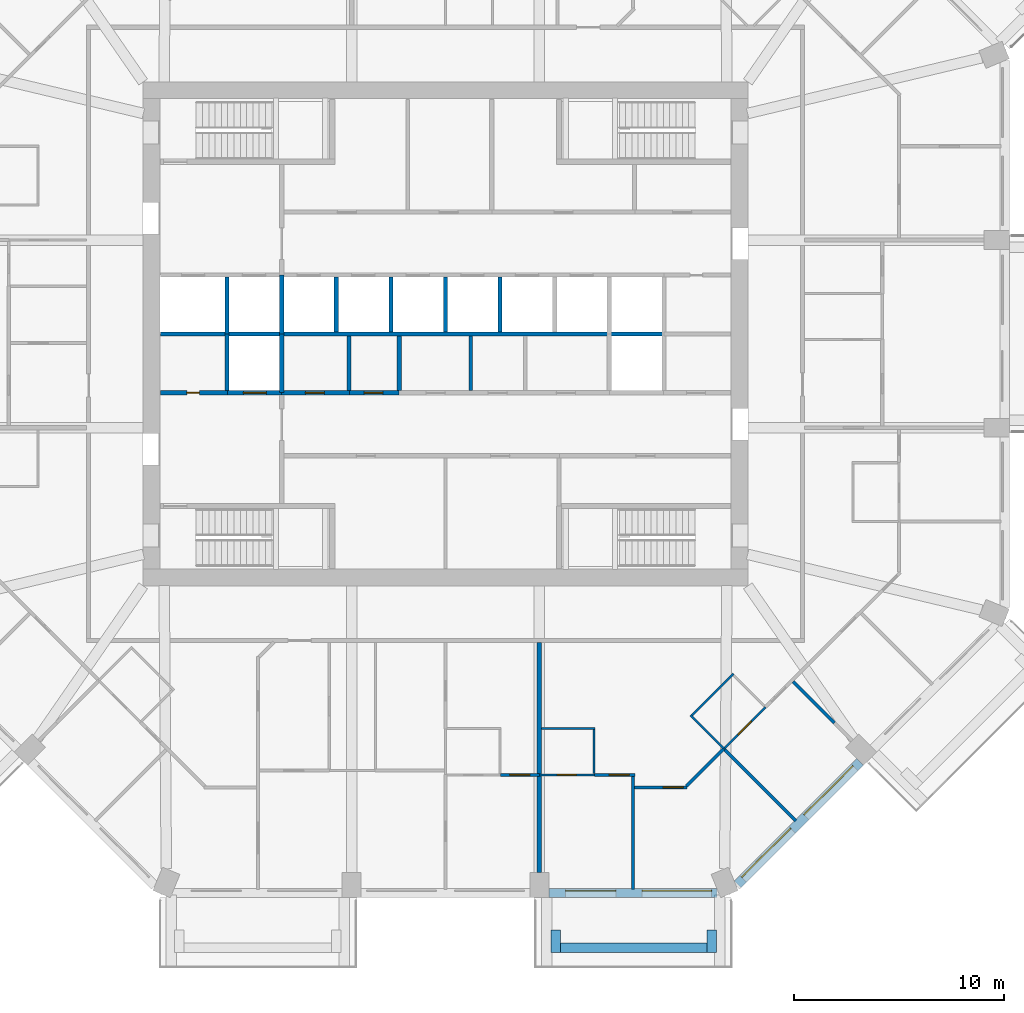
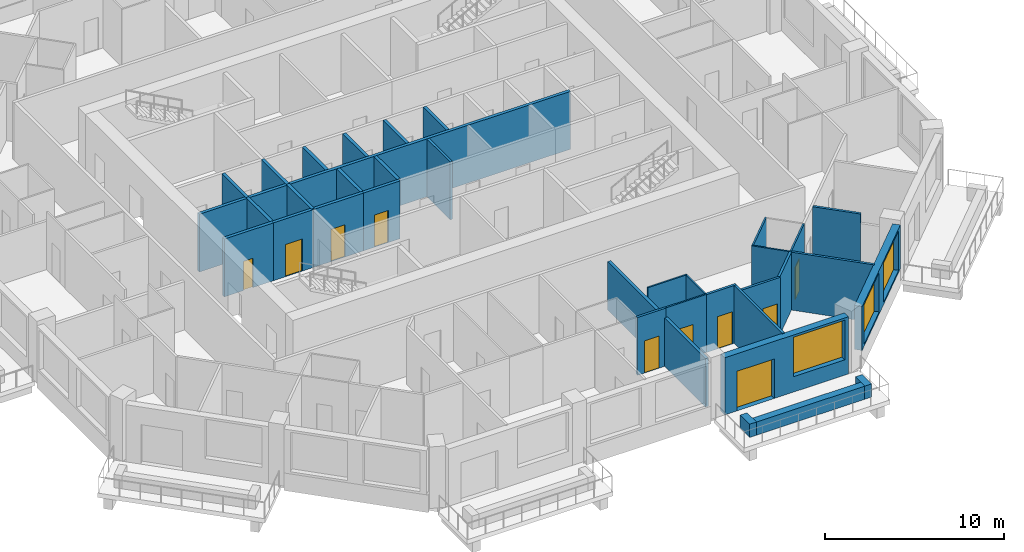
# One storey, part 5 of 13: 35 walls, 10 doors, 3 windows, 13 openings.
"""IFC4 building model written with IfcOpenShell, lengths in metres."""

from ifc_helpers import new_model, si_unit, direction, frame, frame_2d, origin, place, context, subcontext, project, spatial, rectangle, extrude, material, layer, layer_set, type_object, element, fill, save


model = new_model("IFC4")

# Units and contexts
model_context = context("Model", 3, precision=1e-05, world=origin(), true_north=direction((0.0, 1.0)))
body_context = subcontext(model_context, "Body", "Model", "MODEL_VIEW")
ifc_project = project(units=[si_unit("LENGTHUNIT", "METRE"), si_unit("AREAUNIT", "SQUARE_METRE"), si_unit("VOLUMEUNIT", "CUBIC_METRE"), si_unit("PLANEANGLEUNIT", "RADIAN"), si_unit("MASSUNIT", "GRAM", prefix="KILO")], contexts=[model_context])

# Site, building, storey
site_placement = place(None, origin())
site = spatial("IfcSite", under=ifc_project, at=site_placement, CompositionType="ELEMENT")
building_placement = place(site_placement, origin())
building = spatial("IfcBuilding", under=site, at=building_placement, Name="Msitu Wima Residences", CompositionType="ELEMENT")
storey_placement = place(building_placement, frame((0.0, 0.0, 110.699951171875)))
storey = spatial("IfcBuildingStorey", under=building, at=storey_placement, Name="L25", CompositionType="ELEMENT", Elevation=110.699951171875)

# Walls
ifc_material_1 = material(Name="Facing brick")
ifc_layer_1 = layer(ifc_material_1, 0.06494140625, Name="Facing brick")
ifc_material_2 = material(Name="Concrete C40/50", Category="concrete")
ifc_layer_2 = layer(ifc_material_2, 0.156005859375, Name="Concrete C40/50")
ifc_material_3 = material(Name="Waterproofing membrane")
ifc_layer_3 = layer(ifc_material_3, 0.00390625, Name="Waterproofing membrane")
ifc_material_4 = material(Name="Planting soil and planting")
ifc_layer_4 = layer(ifc_material_4, 0.22509765625, Name="Planting soil and planting")
ifc_layer_set_1 = layer_set([ifc_layer_1, ifc_layer_2, ifc_layer_3, ifc_layer_4], Name="Concrete C40/50")
wall_type_1 = type_object("IfcWallType", Name="Balcony planter PLANTER PL450", PredefinedType="USERDEFINED", material=ifc_layer_set_1)
wall_1_placement = place(storey_placement, frame((5.468505859375, -29.22509765625, 0.0), z_axis=(0.0, 0.0, 1.0), x_axis=(1.0, 0.0, 0.0)))
element("IfcWall", 1, at=wall_1_placement, inside=storey, type_object=wall_type_1, Name="Balcony planter S2 L25", ObjectType="PLANTER", PredefinedType="USERDEFINED", context=body_context, shape_type="SweptSolid", body=[
    extrude(rectangle(XDim=6.9873046875, YDim=0.449951171875, at=frame_2d((3.49365234375, 0.0))), origin(), (0.0, 0.0, 1.0), 0.900146484375),
])
for number, where, z_axis, x_axis, name in (
    (2, (5.24365234375, -28.39990234375, 0.0), (0.0, 0.0, 1.0), (0.0, -1.0, 0.0), "Balcony planter S2 L25"),
    (3, (12.680908203125, -28.39990234375, 0.0), (0.0, 0.0, 1.0), (0.0, -1.0, 0.0), "Balcony planter S2 L25"),
):
    element("IfcWall", number, at=place(storey_placement, frame(where, z_axis=z_axis, x_axis=x_axis)), inside=storey, type_object=wall_type_1, Name=name, ObjectType="PLANTER", PredefinedType="USERDEFINED", context=body_context, shape_type="SweptSolid", body=[
        extrude(rectangle(XDim=1.050048828125, YDim=0.449951171875, at=frame_2d((0.52490234375, 0.0))), origin(), (0.0, 0.0, 1.0), 0.900146484375),
    ])

# Wall, openings, door, window
ifc_material_5 = material(Name="Brick (red buff mix)", Category="masonry")
ifc_layer_5 = layer(ifc_material_5, 0.449951171875)
ifc_layer_set_2 = layer_set([ifc_layer_5], Name="Brick (red buff mix)")
wall_type_2 = type_object("IfcWallType", Name="Brick infill wall BW450", PredefinedType="SOLIDWALL", material=ifc_layer_set_2)
wall_2_placement = place(storey_placement, frame((4.918701171875, -26.625, 0.0), z_axis=(0.0, 0.0, 1.0), x_axis=(1.0, 0.0, 0.0)))
wall_2 = element("IfcWall", 4, at=wall_2_placement, inside=storey, type_object=wall_type_2, Name="Brick infill wall L25 S2", PredefinedType="SOLIDWALL", context=body_context, shape_type="SweptSolid", body=[
    extrude(rectangle(XDim=8.0, YDim=0.449951171875, at=frame_2d((4.0, 0.0))), origin(), (0.0, 0.0, 1.0), 3.900146484375),
])
opening_1_placement = place(wall_2_placement, frame((0.800048828125, 0.0, 0.0)))
opening_1 = element("IfcOpeningElement", 5, at=opening_1_placement, cuts=wall_2, Name="Opening D25-26.007", PredefinedType="OPENING", context=body_context, shape_type="SweptSolid", body=[
    extrude(rectangle(XDim=2.39990234375, YDim=2.699951171875, at=frame_2d((1.199951171875, 1.35009765625))), frame((0.0, 0.23486328125, 0.0), z_axis=(0.0, -1.0, 0.0), x_axis=(1.0, 0.0, 0.0)), (0.0, 0.0, 1.0), 0.469970703125),
])
opening_2_placement = place(wall_2_placement, frame((4.4501953125, 0.0, 1.050048828125)))
opening_2 = element("IfcOpeningElement", 6, at=opening_2_placement, cuts=wall_2, Name="Opening W25-26.019", PredefinedType="OPENING", context=body_context, shape_type="SweptSolid", body=[
    extrude(rectangle(XDim=3.300048828125, YDim=2.699951171875, at=frame_2d((1.64990234375, 1.35009765625))), frame((0.0, 0.23486328125, 0.0), z_axis=(0.0, -1.0, 0.0), x_axis=(1.0, 0.0, 0.0)), (0.0, 0.0, 1.0), 0.469970703125),
])
ifc_material_6 = material(Name="Anodised aluminium, bronze finish, clear low-emissivity double glazing", Category="aluminium")
door_type_1 = type_object("IfcDoorType", Name="Balcony door D2400x2700", OperationType="SLIDING_TO_LEFT", PredefinedType="DOOR", material=ifc_material_6)
door_1_placement = place(opening_1_placement, origin())
door_1 = element("IfcDoor", 7, at=door_1_placement, inside=storey, type_object=door_type_1, Name="Balcony door L25 S2", OperationType="SINGLE_SWING_LEFT", OverallHeight=2.699951171875, OverallWidth=2.39990234375, PredefinedType="DOOR", context=body_context, shape_type="SweptSolid", body=[
    extrude(rectangle(XDim=2.39990234375, YDim=2.699951171875, at=frame_2d((1.199951171875, 1.35009765625))), frame((0.0, 0.1298828125, 0.0), z_axis=(0.0, -1.0, 0.0), x_axis=(1.0, 0.0, 0.0)), (0.0, 0.0, 1.0), 0.050048828125),
])
fill(opening_1, door_1)
window_type = type_object("IfcWindowType", Name="Window W3300x2700", PartitioningType="DOUBLE_PANEL_VERTICAL", PredefinedType="WINDOW", material=ifc_material_6)
window_1_placement = place(opening_2_placement, origin())
window_1 = element("IfcWindow", 8, at=window_1_placement, inside=storey, type_object=window_type, Name="Window L25 S2.2", OverallHeight=2.699951171875, OverallWidth=3.300048828125, PartitioningType="SINGLE_PANEL", PredefinedType="WINDOW", context=body_context, shape_type="SweptSolid", body=[
    extrude(rectangle(XDim=3.300048828125, YDim=2.699951171875, at=frame_2d((1.64990234375, 1.35009765625))), frame((0.0, 0.135009765625, 0.0), z_axis=(0.0, -1.0, 0.0), x_axis=(1.0, 0.0, 0.0)), (0.0, 0.0, 1.0), 0.06005859375),
])
fill(opening_2, window_1)

# Wall, openings, windows
wall_3_placement = place(storey_placement, frame((13.909423828125, -26.214599609375, 0.900146484375), z_axis=(0.0, 0.0, 1.0), x_axis=(0.707106781187, 0.707106781187, 0.0)))
wall_3 = element("IfcWall", 9, at=wall_3_placement, inside=storey, type_object=wall_type_2, Name="Brick infill wall L25 SE0", PredefinedType="SOLIDWALL", context=body_context, shape_type="SweptSolid", body=[
    extrude(rectangle(XDim=8.251220703125, YDim=0.449951171875, at=frame_2d((4.12548828125, 0.0))), origin(), (0.0, 0.0, 1.0), 3.0),
])
opening_3_placement = place(wall_3_placement, frame((0.37548828125, 0.0, 0.14990234375)))
opening_3 = element("IfcOpeningElement", 10, at=opening_3_placement, cuts=wall_3, Name="Opening W25-26.020", PredefinedType="OPENING", context=body_context, shape_type="SweptSolid", body=[
    extrude(rectangle(XDim=3.300048828125, YDim=2.699951171875, at=frame_2d((1.64990234375, 1.35009765625))), frame((0.0, 0.23486328125, 0.0), z_axis=(0.0, -1.0, 0.0), x_axis=(1.0, 0.0, 0.0)), (0.0, 0.0, 1.0), 0.469970703125),
])
opening_4_placement = place(wall_3_placement, frame((4.57568359375, 0.0, 0.14990234375)))
opening_4 = element("IfcOpeningElement", 11, at=opening_4_placement, cuts=wall_3, Name="Opening W25-26.021", PredefinedType="OPENING", context=body_context, shape_type="SweptSolid", body=[
    extrude(rectangle(XDim=3.300048828125, YDim=2.699951171875, at=frame_2d((1.64990234375, 1.35009765625))), frame((0.0, 0.23486328125, 0.0), z_axis=(0.0, -1.0, 0.0), x_axis=(1.0, 0.0, 0.0)), (0.0, 0.0, 1.0), 0.469970703125),
])
window_2_placement = place(opening_3_placement, origin())
window_2 = element("IfcWindow", 12, at=window_2_placement, inside=storey, type_object=window_type, Name="Window L25 SE0.1", OverallHeight=2.699951171875, OverallWidth=3.300048828125, PartitioningType="SINGLE_PANEL", PredefinedType="WINDOW", context=body_context, shape_type="SweptSolid", body=[
    extrude(rectangle(XDim=3.300048828125, YDim=2.699951171875, at=frame_2d((1.64990234375, 1.35009765625))), frame((0.0, 0.135009765625, 0.0), z_axis=(0.0, -1.0, 0.0), x_axis=(1.0, 0.0, 0.0)), (0.0, 0.0, 1.0), 0.06005859375),
])
fill(opening_3, window_2)
window_3_placement = place(opening_4_placement, origin())
window_3 = element("IfcWindow", 13, at=window_3_placement, inside=storey, type_object=window_type, Name="Window L25 SE0.2", OverallHeight=2.699951171875, OverallWidth=3.300048828125, PartitioningType="SINGLE_PANEL", PredefinedType="WINDOW", context=body_context, shape_type="SweptSolid", body=[
    extrude(rectangle(XDim=3.300048828125, YDim=2.699951171875, at=frame_2d((1.64990234375, 1.35009765625))), frame((0.0, 0.135009765625, 0.0), z_axis=(0.0, -1.0, 0.0), x_axis=(1.0, 0.0, 0.0)), (0.0, 0.0, 1.0), 0.06005859375),
])
fill(opening_4, window_3)

# Wall, opening, door
ifc_material_7 = material(Name="Plaster")
ifc_layer_6 = layer(ifc_material_7, 0.011962890625, Name="Plaster")
ifc_material_8 = material(Name="Concrete blockwork", Category="masonry")
ifc_layer_7 = layer(ifc_material_8, 0.176025390625, Name="Concrete blockwork")
ifc_layer_8 = layer(ifc_material_7, 0.011962890625, Name="Plaster")
ifc_layer_set_3 = layer_set([ifc_layer_6, ifc_layer_7, ifc_layer_8], Name="Concrete blockwork")
wall_type_3 = type_object("IfcWallType", Name="Corridor wall FW200", PredefinedType="PARTITIONING", material=ifc_layer_set_3)
wall_4_placement = place(storey_placement, frame((-7.820068359375, -2.800048828125, 0.0), z_axis=(0.0, 0.0, 1.0), x_axis=(1.0, 0.0, 0.0)))
wall_4 = element("IfcWall", 14, at=wall_4_placement, inside=storey, type_object=wall_type_3, Name="Corridor wall", PredefinedType="PARTITIONING", context=body_context, shape_type="SweptSolid", body=[
    extrude(rectangle(XDim=3.239990234375, YDim=0.199951171875, at=frame_2d((1.6201171875, 0.0))), origin(), (0.0, 0.0, 1.0), 3.949951171875),
])
opening_5_placement = place(wall_4_placement, frame((1.14990234375, 0.0, 0.0)))
opening_5 = element("IfcOpeningElement", 15, at=opening_5_placement, cuts=wall_4, Name="Opening D25-26.031", PredefinedType="OPENING", context=body_context, shape_type="SweptSolid", body=[
    extrude(rectangle(XDim=0.89990234375, YDim=2.199951171875, at=frame_2d((0.449951171875, 1.10009765625))), frame((0.0, 0.10986328125, 0.0), z_axis=(0.0, -1.0, 0.0), x_axis=(1.0, 0.0, 0.0)), (0.0, 0.0, 1.0), 0.219970703125),
])
ifc_material_9 = material(Name="Timber flush door", Category="wood")
door_type_2 = type_object("IfcDoorType", Name="Service door D05 900x2200", OperationType="SINGLE_SWING_LEFT", PredefinedType="DOOR", material=ifc_material_9)
door_2_placement = place(opening_5_placement, origin())
door_2 = element("IfcDoor", 16, at=door_2_placement, inside=storey, type_object=door_type_2, Name="Service door", OperationType="SINGLE_SWING_LEFT", OverallHeight=2.199951171875, OverallWidth=0.89990234375, PredefinedType="DOOR", context=body_context, shape_type="SweptSolid", body=[
    extrude(rectangle(XDim=0.89990234375, YDim=2.199951171875, at=frame_2d((0.449951171875, 1.10009765625))), frame((0.0, 0.02490234375, 0.0), z_axis=(0.0, -1.0, 0.0), x_axis=(1.0, 0.0, 0.0)), (0.0, 0.0, 1.0), 0.050048828125),
])
fill(opening_5, door_2)

# Wall
ifc_layer_9 = layer(ifc_material_7, 0.011962890625, Name="Plaster")
ifc_layer_10 = layer(ifc_material_8, 0.1259765625, Name="Concrete blockwork")
ifc_layer_11 = layer(ifc_material_7, 0.011962890625, Name="Plaster")
ifc_layer_set_4 = layer_set([ifc_layer_9, ifc_layer_10, ifc_layer_11], Name="Concrete blockwork")
wall_type_4 = type_object("IfcWallType", Name="Partition PW150", PredefinedType="PARTITIONING", material=ifc_layer_set_4)
wall_5_placement = place(storey_placement, frame((1.199951171875, -2.699951171875, 0.0), z_axis=(0.0, 0.0, 1.0), x_axis=(0.0, 1.0, 0.0)))
element("IfcWall", 17, at=wall_5_placement, inside=storey, type_object=wall_type_4, Name="Partition", PredefinedType="PARTITIONING", context=body_context, shape_type="SweptSolid", body=[
    extrude(rectangle(XDim=2.599853515625, YDim=0.14990234375, at=frame_2d((1.2998046875, 0.0))), origin(), (0.0, 0.0, 1.0), 3.949951171875),
])

# Wall, opening, door
wall_6_placement = place(storey_placement, frame((2.6201171875, -21.0, 0.0), z_axis=(0.0, 0.0, 1.0), x_axis=(1.0, 0.0, 0.0)))
wall_6 = element("IfcWall", 18, at=wall_6_placement, inside=storey, type_object=wall_type_4, Name="Partition", PredefinedType="PARTITIONING", context=body_context, shape_type="SweptSolid", body=[
    extrude(rectangle(XDim=1.8486328125, YDim=0.14990234375, at=frame_2d((0.92431640625, 0.0))), origin(), (0.0, 0.0, 1.0), 3.949951171875),
])
opening_6_placement = place(wall_6_placement, frame((0.449951171875, 0.0, 0.0)))
opening_6 = element("IfcOpeningElement", 19, at=opening_6_placement, cuts=wall_6, Name="Opening D25-26.074", PredefinedType="OPENING", context=body_context, shape_type="SweptSolid", body=[
    extrude(rectangle(XDim=0.949951171875, YDim=2.199951171875, at=frame_2d((0.47509765625, 1.10009765625))), frame((0.0, 0.0849609375, 0.0), z_axis=(0.0, -1.0, 0.0), x_axis=(1.0, 0.0, 0.0)), (0.0, 0.0, 1.0), 0.169921875),
])
door_type_3 = type_object("IfcDoorType", Name="Room door D12 950x2200", OperationType="SINGLE_SWING_LEFT", PredefinedType="DOOR", material=ifc_material_9)
door_3_placement = place(opening_6_placement, origin())
door_3 = element("IfcDoor", 20, at=door_3_placement, inside=storey, type_object=door_type_3, Name="Room door", OperationType="SINGLE_SWING_LEFT", OverallHeight=2.199951171875, OverallWidth=0.949951171875, PredefinedType="DOOR", context=body_context, shape_type="SweptSolid", body=[
    extrude(rectangle(XDim=0.949951171875, YDim=2.199951171875, at=frame_2d((0.47509765625, 1.10009765625))), frame((0.0, 0.02490234375, 0.0), z_axis=(0.0, -1.0, 0.0), x_axis=(1.0, 0.0, 0.0)), (0.0, 0.0, 1.0), 0.050048828125),
])
fill(opening_6, door_3)

wall_7_placement = place(storey_placement, frame((7.088623046875, -21.0, 0.0), z_axis=(0.0, 0.0, 1.0), x_axis=(1.0, 0.0, 0.0)))
wall_7 = element("IfcWall", 21, at=wall_7_placement, inside=storey, type_object=wall_type_4, Name="Partition", PredefinedType="PARTITIONING", context=body_context, shape_type="SweptSolid", body=[
    extrude(rectangle(XDim=1.923583984375, YDim=0.14990234375, at=frame_2d((0.9619140625, 0.0))), origin(), (0.0, 0.0, 1.0), 3.949951171875),
])
opening_7_placement = place(wall_7_placement, frame((0.699951171875, 0.0, 0.0)))
opening_7 = element("IfcOpeningElement", 22, at=opening_7_placement, cuts=wall_7, Name="Opening D25-26.085", PredefinedType="OPENING", context=body_context, shape_type="SweptSolid", body=[
    extrude(rectangle(XDim=0.949951171875, YDim=2.199951171875, at=frame_2d((0.47509765625, 1.10009765625))), frame((0.0, 0.0849609375, 0.0), z_axis=(0.0, -1.0, 0.0), x_axis=(1.0, 0.0, 0.0)), (0.0, 0.0, 1.0), 0.169921875),
])
door_4_placement = place(opening_7_placement, origin())
door_4 = element("IfcDoor", 23, at=door_4_placement, inside=storey, type_object=door_type_3, Name="Room door", OperationType="SINGLE_SWING_LEFT", OverallHeight=2.199951171875, OverallWidth=0.949951171875, PredefinedType="DOOR", context=body_context, shape_type="SweptSolid", body=[
    extrude(rectangle(XDim=0.949951171875, YDim=2.199951171875, at=frame_2d((0.47509765625, 1.10009765625))), frame((0.0, 0.02490234375, 0.0), z_axis=(0.0, -1.0, 0.0), x_axis=(1.0, 0.0, 0.0)), (0.0, 0.0, 1.0), 0.050048828125),
])
fill(opening_7, door_4)

# Wall
wall_8_placement = place(storey_placement, frame((8.937255859375, -26.455078125, 0.0), z_axis=(0.0, 0.0, 1.0), x_axis=(0.0, 1.0, 0.0)))
element("IfcWall", 24, at=wall_8_placement, inside=storey, type_object=wall_type_4, Name="Partition", PredefinedType="PARTITIONING", context=body_context, shape_type="SweptSolid", body=[
    extrude(rectangle(XDim=5.380126953125, YDim=0.14990234375, at=frame_2d((2.68994140625, 0.0))), origin(), (0.0, 0.0, 1.0), 3.949951171875),
])

# Wall, opening, door
wall_9_placement = place(storey_placement, frame((9.01220703125, -21.60009765625, 0.0), z_axis=(0.0, 0.0, 1.0), x_axis=(1.0, 0.0, 0.0)))
wall_9 = element("IfcWall", 25, at=wall_9_placement, inside=storey, type_object=wall_type_4, Name="Partition", PredefinedType="PARTITIONING", context=body_context, shape_type="SweptSolid", body=[
    extrude(rectangle(XDim=2.48046875, YDim=0.14990234375, at=frame_2d((1.240234375, 0.0))), origin(), (0.0, 0.0, 1.0), 3.949951171875),
])
opening_8_placement = place(wall_9_placement, frame((1.35009765625, 0.0, 0.0)))
opening_8 = element("IfcOpeningElement", 26, at=opening_8_placement, cuts=wall_9, Name="Opening D25-26.089", PredefinedType="OPENING", context=body_context, shape_type="SweptSolid", body=[
    extrude(rectangle(XDim=0.949951171875, YDim=2.199951171875, at=frame_2d((0.47509765625, 1.10009765625))), frame((0.0, 0.0849609375, 0.0), z_axis=(0.0, -1.0, 0.0), x_axis=(1.0, 0.0, 0.0)), (0.0, 0.0, 1.0), 0.169921875),
])
door_5_placement = place(opening_8_placement, origin())
door_5 = element("IfcDoor", 27, at=door_5_placement, inside=storey, type_object=door_type_3, Name="Room door", OperationType="SINGLE_SWING_RIGHT", OverallHeight=2.199951171875, OverallWidth=0.949951171875, PredefinedType="DOOR", context=body_context, shape_type="SweptSolid", body=[
    extrude(rectangle(XDim=0.949951171875, YDim=2.199951171875, at=frame_2d((0.47509765625, 1.10009765625))), frame((0.0, 0.02490234375, 0.0), z_axis=(0.0, -1.0, 0.0), x_axis=(1.0, 0.0, 0.0)), (0.0, 0.0, 1.0), 0.050048828125),
])
fill(opening_8, door_5)

# Walls
wall_10_placement = place(storey_placement, frame((11.470703125, -21.546875, 0.0), z_axis=(0.0, 0.0, 1.0), x_axis=(0.707106781187, 0.707106781187, 0.0)))
element("IfcWall", 28, at=wall_10_placement, inside=storey, type_object=wall_type_4, Name="Partition", PredefinedType="PARTITIONING", context=body_context, shape_type="SweptSolid", body=[
    extrude(rectangle(XDim=2.53076171875, YDim=0.14990234375, at=frame_2d((1.265380859375, 0.0))), origin(), (0.0, 0.0, 1.0), 3.949951171875),
])
wall_11_placement = place(storey_placement, frame((13.24609375, -19.7431640625, 0.0), z_axis=(0.0, 0.0, 1.0), x_axis=(0.707106781187, -0.707106781187, 0.0)))
element("IfcWall", 29, at=wall_11_placement, inside=storey, type_object=wall_type_4, Name="Partition", PredefinedType="PARTITIONING", context=body_context, shape_type="SweptSolid", body=[
    extrude(rectangle(XDim=4.875244140625, YDim=0.14990234375, at=frame_2d((2.4375, 0.0))), origin(), (0.0, 0.0, 1.0), 3.949951171875),
])
wall_12_placement = place(storey_placement, frame((16.561767578125, -16.561767578125, 0.0), z_axis=(0.0, 0.0, 1.0), x_axis=(0.707106781187, -0.707106781187, 0.0)))
element("IfcWall", 30, at=wall_12_placement, inside=storey, type_object=wall_type_4, Name="Partition", PredefinedType="PARTITIONING", context=body_context, shape_type="SweptSolid", body=[
    extrude(rectangle(XDim=2.765869140625, YDim=0.14990234375, at=frame_2d((1.3828125, 0.0))), origin(), (0.0, 0.0, 1.0), 3.949951171875),
])
ifc_layer_12 = layer(ifc_material_7, 0.011962890625, Name="Plaster")
ifc_material_10 = material(Name="Dense concrete blockwork", Category="masonry")
ifc_layer_13 = layer(ifc_material_10, 0.176025390625, Name="Dense concrete blockwork")
ifc_layer_14 = layer(ifc_material_7, 0.011962890625, Name="Plaster")
ifc_layer_set_5 = layer_set([ifc_layer_12, ifc_layer_13, ifc_layer_14], Name="Dense concrete blockwork")
wall_type_5 = type_object("IfcWallType", Name="Party wall PW200", PredefinedType="PARTITIONING", material=ifc_layer_set_5)
wall_13_placement = place(storey_placement, frame((4.46875, -25.64990234375, 0.0), z_axis=(0.0, 0.0, 1.0), x_axis=(0.0, 1.0, 0.0)))
element("IfcWall", 31, at=wall_13_placement, inside=storey, type_object=wall_type_5, Name="Party wall", PredefinedType="PARTITIONING", context=body_context, shape_type="SweptSolid", body=[
    extrude(rectangle(XDim=10.949951171875, YDim=0.199951171875, at=frame_2d((5.47509765625, 0.0))), origin(), (0.0, 0.0, 1.0), 3.300048828125),
])

# Wall, opening, door
ifc_layer_15 = layer(ifc_material_7, 0.011962890625, Name="Plaster")
ifc_material_11 = material(Name="Reinforced concrete blockwork", Category="masonry")
ifc_layer_16 = layer(ifc_material_11, 0.176025390625, Name="Reinforced concrete blockwork")
ifc_layer_17 = layer(ifc_material_7, 0.011962890625, Name="Plaster")
ifc_layer_set_6 = layer_set([ifc_layer_15, ifc_layer_16, ifc_layer_17], Name="Reinforced concrete blockwork")
wall_type_6 = type_object("IfcWallType", Name="Plant and riser wall PL200", PredefinedType="PARTITIONING", material=ifc_layer_set_6)
wall_14_placement = place(storey_placement, frame((-13.570068359375, -2.800048828125, 0.0), z_axis=(0.0, 0.0, 1.0), x_axis=(1.0, 0.0, 0.0)))
wall_14 = element("IfcWall", 32, at=wall_14_placement, inside=storey, type_object=wall_type_6, Name="Plant and riser wall", PredefinedType="PARTITIONING", context=body_context, shape_type="SweptSolid", body=[
    extrude(rectangle(XDim=3.190185546875, YDim=0.199951171875, at=frame_2d((1.59521484375, 0.0))), origin(), (0.0, 0.0, 1.0), 3.949951171875),
])
opening_9_placement = place(wall_14_placement, frame((1.25, 0.0, 0.0)))
opening_9 = element("IfcOpeningElement", 33, at=opening_9_placement, cuts=wall_14, Name="Opening D25-26.030", PredefinedType="OPENING", context=body_context, shape_type="SweptSolid", body=[
    extrude(rectangle(XDim=0.60009765625, YDim=2.0, at=frame_2d((0.300048828125, 1.0))), frame((0.0, 0.10986328125, 0.0), z_axis=(0.0, -1.0, 0.0), x_axis=(1.0, 0.0, 0.0)), (0.0, 0.0, 1.0), 0.219970703125),
])
ifc_material_12 = material(Name="Steel access door, fire resisting", Category="steel")
door_type_4 = type_object("IfcDoorType", Name="Riser access door D08 600x2000", OperationType="SINGLE_SWING_LEFT", PredefinedType="DOOR", material=ifc_material_12)
door_6_placement = place(opening_9_placement, origin())
door_6 = element("IfcDoor", 34, at=door_6_placement, inside=storey, type_object=door_type_4, Name="Riser access door", OperationType="SINGLE_SWING_RIGHT", OverallHeight=2.0, OverallWidth=0.60009765625, PredefinedType="DOOR", context=body_context, shape_type="SweptSolid", body=[
    extrude(rectangle(XDim=0.60009765625, YDim=2.0, at=frame_2d((0.300048828125, 1.0))), frame((0.0, 0.02490234375, 0.0), z_axis=(0.0, -1.0, 0.0), x_axis=(1.0, 0.0, 0.0)), (0.0, 0.0, 1.0), 0.050048828125),
])
fill(opening_9, door_6)

wall_15_placement = place(storey_placement, frame((-4.580078125, -2.800048828125, 0.0), z_axis=(0.0, 0.0, 1.0), x_axis=(1.0, 0.0, 0.0)))
wall_15 = element("IfcWall", 35, at=wall_15_placement, inside=storey, type_object=wall_type_6, Name="Plant and riser wall", PredefinedType="PARTITIONING", context=body_context, shape_type="SweptSolid", body=[
    extrude(rectangle(XDim=2.360107421875, YDim=0.199951171875, at=frame_2d((1.18017578125, 0.0))), origin(), (0.0, 0.0, 1.0), 3.949951171875),
])
opening_10_placement = place(wall_15_placement, frame((0.699951171875, 0.0, 0.0)))
opening_10 = element("IfcOpeningElement", 36, at=opening_10_placement, cuts=wall_15, Name="Opening D25-26.032", PredefinedType="OPENING", context=body_context, shape_type="SweptSolid", body=[
    extrude(rectangle(XDim=0.89990234375, YDim=2.199951171875, at=frame_2d((0.449951171875, 1.10009765625))), frame((0.0, 0.10986328125, 0.0), z_axis=(0.0, -1.0, 0.0), x_axis=(1.0, 0.0, 0.0)), (0.0, 0.0, 1.0), 0.219970703125),
])
door_7_placement = place(opening_10_placement, origin())
door_7 = element("IfcDoor", 37, at=door_7_placement, inside=storey, type_object=door_type_2, Name="Service door", OperationType="SINGLE_SWING_LEFT", OverallHeight=2.199951171875, OverallWidth=0.89990234375, PredefinedType="DOOR", context=body_context, shape_type="SweptSolid", body=[
    extrude(rectangle(XDim=0.89990234375, YDim=2.199951171875, at=frame_2d((0.449951171875, 1.10009765625))), frame((0.0, 0.02490234375, 0.0), z_axis=(0.0, -1.0, 0.0), x_axis=(1.0, 0.0, 0.0)), (0.0, 0.0, 1.0), 0.050048828125),
])
fill(opening_10, door_7)

# Walls
for number, where, z_axis, x_axis, name in (
    (38, (-4.60009765625, -2.699951171875, 0.0), (0.0, 0.0, 1.0), (0.0, 1.0, 0.0), "Plant and riser wall"),
    (39, (-2.199951171875, -2.699951171875, 0.0), (0.0, 0.0, 1.0), (0.0, 1.0, 0.0), "Plant and riser wall"),
):
    element("IfcWall", number, at=place(storey_placement, frame(where, z_axis=z_axis, x_axis=x_axis)), inside=storey, type_object=wall_type_6, Name=name, PredefinedType="PARTITIONING", context=body_context, shape_type="SweptSolid", body=[
        extrude(rectangle(XDim=2.599853515625, YDim=0.199951171875, at=frame_2d((1.2998046875, 0.0))), origin(), (0.0, 0.0, 1.0), 3.949951171875),
    ])
ifc_material_13 = material(Name="Fire-rated board")
ifc_layer_18 = layer(ifc_material_13, 0.02490234375, Name="Fire-rated board")
ifc_material_14 = material(Name="Light-gauge stud framing with mineral wool")
ifc_layer_19 = layer(ifc_material_14, 0.14990234375, Name="Light-gauge stud framing with mineral wool")
ifc_layer_20 = layer(ifc_material_13, 0.02490234375, Name="Fire-rated board")
ifc_layer_set_7 = layer_set([ifc_layer_18, ifc_layer_19, ifc_layer_20], Name="Light-gauge stud framing with mineral wool")
wall_type_7 = type_object("IfcWallType", Name="Shaft wall SH200", PredefinedType="PARTITIONING", material=ifc_layer_set_7)
wall_16_placement = place(storey_placement, frame((-13.570068359375, 0.0, 0.0), z_axis=(0.0, 0.0, 1.0), x_axis=(1.0, 0.0, 0.0)))
element("IfcWall", 40, at=wall_16_placement, inside=storey, type_object=wall_type_7, Name="Shaft wall", PredefinedType="PARTITIONING", context=body_context, shape_type="SweptSolid", body=[
    extrude(rectangle(XDim=23.969970703125, YDim=0.199951171875, at=frame_2d((11.98486328125, 0.0))), origin(), (0.0, 0.0, 1.0), 3.949951171875),
])
wall_17_placement = place(storey_placement, frame((-10.39990234375, -2.699951171875, 0.0), z_axis=(0.0, 0.0, 1.0), x_axis=(0.0, 1.0, 0.0)))
element("IfcWall", 41, at=wall_17_placement, inside=storey, type_object=wall_type_7, Name="Shaft wall", PredefinedType="PARTITIONING", context=body_context, shape_type="SweptSolid", body=[
    extrude(rectangle(XDim=2.699951171875, YDim=0.199951171875, at=frame_2d((1.35009765625, 0.0))), origin(), (0.0, 0.0, 1.0), 3.949951171875),
])

# Wall, opening, door
wall_18_placement = place(storey_placement, frame((-10.3798828125, -2.800048828125, 0.0), z_axis=(0.0, 0.0, 1.0), x_axis=(1.0, 0.0, 0.0)))
wall_18 = element("IfcWall", 42, at=wall_18_placement, inside=storey, type_object=wall_type_7, Name="Shaft wall", PredefinedType="PARTITIONING", context=body_context, shape_type="SweptSolid", body=[
    extrude(rectangle(XDim=2.559814453125, YDim=0.199951171875, at=frame_2d((1.27978515625, 0.0))), origin(), (0.0, 0.0, 1.0), 3.949951171875),
])
opening_11_placement = place(wall_18_placement, frame((0.75, 0.0, 0.0)))
opening_11 = element("IfcOpeningElement", 43, at=opening_11_placement, cuts=wall_18, Name="Opening LD", PredefinedType="OPENING", context=body_context, shape_type="SweptSolid", body=[
    extrude(rectangle(XDim=1.10009765625, YDim=2.199951171875, at=frame_2d((0.550048828125, 1.10009765625))), frame((0.0, 0.10986328125, 0.0), z_axis=(0.0, -1.0, 0.0), x_axis=(1.0, 0.0, 0.0)), (0.0, 0.0, 1.0), 0.219970703125),
])
ifc_material_15 = material(Name="Stainless steel centre-opening landing door, rated", Category="steel")
door_type_5 = type_object("IfcDoorType", Name="Lift landing door LD 1100x2200", OperationType="DOUBLE_DOOR_SLIDING", PredefinedType="DOOR", material=ifc_material_15)
door_8_placement = place(opening_11_placement, origin())
door_8 = element("IfcDoor", 44, at=door_8_placement, inside=storey, type_object=door_type_5, Name="Lift landing door LD3", OperationType="DOUBLE_DOOR_SLIDING", OverallHeight=2.199951171875, OverallWidth=1.10009765625, PredefinedType="DOOR", context=body_context, shape_type="SweptSolid", body=[
    extrude(rectangle(XDim=1.10009765625, YDim=2.199951171875, at=frame_2d((0.550048828125, 1.10009765625))), frame((0.0, 0.02490234375, 0.0), z_axis=(0.0, -1.0, 0.0), x_axis=(1.0, 0.0, 0.0)), (0.0, 0.0, 1.0), 0.050048828125),
])
fill(opening_11, door_8)

# Walls
wall_19_placement = place(storey_placement, frame((-10.39990234375, 0.0, 0.0), z_axis=(0.0, 0.0, 1.0), x_axis=(0.0, 1.0, 0.0)))
element("IfcWall", 45, at=wall_19_placement, inside=storey, type_object=wall_type_7, Name="Shaft wall", PredefinedType="PARTITIONING", context=body_context, shape_type="SweptSolid", body=[
    extrude(rectangle(XDim=2.699951171875, YDim=0.199951171875, at=frame_2d((1.35009765625, 0.0))), origin(), (0.0, 0.0, 1.0), 3.949951171875),
])
for number, where, z_axis, x_axis, name in (
    (46, (-7.800048828125, -2.800048828125, 0.0), (0.0, 0.0, 1.0), (0.0, 1.0, 0.0), "Shaft wall"),
    (47, (-7.800048828125, 0.0, 0.0), (0.0, 0.0, 1.0), (0.0, 1.0, 0.0), "Shaft wall"),
):
    element("IfcWall", number, at=place(storey_placement, frame(where, z_axis=z_axis, x_axis=x_axis)), inside=storey, type_object=wall_type_7, Name=name, PredefinedType="PARTITIONING", context=body_context, shape_type="SweptSolid", body=[
        extrude(rectangle(XDim=2.800048828125, YDim=0.199951171875, at=frame_2d((1.39990234375, 0.0))), origin(), (0.0, 0.0, 1.0), 3.949951171875),
    ])
for number, where, z_axis, x_axis, name in (
    (48, (-5.199951171875, 0.10009765625, 0.0), (0.0, 0.0, 1.0), (0.0, 1.0, 0.0), "Shaft wall"),
    (49, (-2.60009765625, 0.10009765625, 0.0), (0.0, 0.0, 1.0), (0.0, 1.0, 0.0), "Shaft wall"),
    (50, (0.0, 0.10009765625, 0.0), (0.0, 0.0, 1.0), (0.0, 1.0, 0.0), "Shaft wall"),
    (51, (2.60009765625, 0.10009765625, 0.0), (0.0, 0.0, 1.0), (0.0, 1.0, 0.0), "Shaft wall"),
):
    element("IfcWall", number, at=place(storey_placement, frame(where, z_axis=z_axis, x_axis=x_axis)), inside=storey, type_object=wall_type_7, Name=name, PredefinedType="PARTITIONING", context=body_context, shape_type="SweptSolid", body=[
        extrude(rectangle(XDim=2.599853515625, YDim=0.199951171875, at=frame_2d((1.2998046875, 0.0))), origin(), (0.0, 0.0, 1.0), 3.949951171875),
    ])

# Wall, opening, door
ifc_material_16 = material(Name="Ceramic tiles")
ifc_layer_21 = layer(ifc_material_16, 0.008056640625, Name="Ceramic tiles")
ifc_material_17 = material(Name="Moisture-resistant board")
ifc_layer_22 = layer(ifc_material_17, 0.012451171875, Name="Moisture-resistant board")
ifc_layer_23 = layer(ifc_material_14, 0.06689453125, Name="Light-gauge stud framing with mineral wool")
ifc_layer_24 = layer(ifc_material_17, 0.012451171875, Name="Moisture-resistant board")
ifc_layer_set_8 = layer_set([ifc_layer_21, ifc_layer_22, ifc_layer_23, ifc_layer_24], Name="Light-gauge stud framing with mineral wool")
wall_type_8 = type_object("IfcWallType", Name="Wet wall PW100", PredefinedType="PARTITIONING", material=ifc_layer_set_8)
wall_20_placement = place(storey_placement, frame((4.46875, -21.0, 0.0), z_axis=(0.0, 0.0, 1.0), x_axis=(1.0, 0.0, 0.0)))
wall_20 = element("IfcWall", 52, at=wall_20_placement, inside=storey, type_object=wall_type_8, Name="Wet wall", PredefinedType="PARTITIONING", context=body_context, shape_type="SweptSolid", body=[
    extrude(rectangle(XDim=2.619873046875, YDim=0.10009765625, at=frame_2d((1.31005859375, 0.0))), origin(), (0.0, 0.0, 1.0), 3.949951171875),
])
opening_12_placement = place(wall_20_placement, frame((0.85009765625, 0.0, 0.0)))
opening_12 = element("IfcOpeningElement", 53, at=opening_12_placement, cuts=wall_20, Name="Opening D25-26.087", PredefinedType="OPENING", context=body_context, shape_type="SweptSolid", body=[
    extrude(rectangle(XDim=0.89990234375, YDim=2.199951171875, at=frame_2d((0.449951171875, 1.10009765625))), frame((0.0, 0.06005859375, 0.0), z_axis=(0.0, -1.0, 0.0), x_axis=(1.0, 0.0, 0.0)), (0.0, 0.0, 1.0), 0.1201171875),
])
ifc_material_18 = material(Name="Timber flush door, moisture resistant", Category="wood")
door_type_6 = type_object("IfcDoorType", Name="Bathroom door D03 900x2200", OperationType="SINGLE_SWING_LEFT", PredefinedType="DOOR", material=ifc_material_18)
door_9_placement = place(opening_12_placement, origin())
door_9 = element("IfcDoor", 54, at=door_9_placement, inside=storey, type_object=door_type_6, Name="Bathroom door", OperationType="SINGLE_SWING_LEFT", OverallHeight=2.199951171875, OverallWidth=0.89990234375, PredefinedType="DOOR", context=body_context, shape_type="SweptSolid", body=[
    extrude(rectangle(XDim=0.89990234375, YDim=2.199951171875, at=frame_2d((0.449951171875, 1.10009765625))), frame((0.0, 0.02490234375, 0.0), z_axis=(0.0, -1.0, 0.0), x_axis=(1.0, 0.0, 0.0)), (0.0, 0.0, 1.0), 0.050048828125),
])
fill(opening_12, door_9)

# Walls
wall_21_placement = place(storey_placement, frame((4.568603515625, -18.800048828125, 0.0), z_axis=(0.0, 0.0, 1.0), x_axis=(1.0, 0.0, 0.0)))
element("IfcWall", 55, at=wall_21_placement, inside=storey, type_object=wall_type_8, Name="Wet wall", PredefinedType="PARTITIONING", context=body_context, shape_type="SweptSolid", body=[
    extrude(rectangle(XDim=2.550048828125, YDim=0.10009765625, at=frame_2d((1.27490234375, 0.0))), origin(), (0.0, 0.0, 1.0), 3.949951171875),
])
wall_22_placement = place(storey_placement, frame((7.068603515625, -20.925048828125, 0.0), z_axis=(0.0, 0.0, 1.0), x_axis=(0.0, 1.0, 0.0)))
element("IfcWall", 56, at=wall_22_placement, inside=storey, type_object=wall_type_8, Name="Wet wall", PredefinedType="PARTITIONING", context=body_context, shape_type="SweptSolid", body=[
    extrude(rectangle(XDim=2.074951171875, YDim=0.10009765625, at=frame_2d((1.03759765625, 0.0))), origin(), (0.0, 0.0, 1.0), 3.949951171875),
])
wall_23_placement = place(storey_placement, frame((11.66943359375, -18.166259765625, 0.0), z_axis=(0.0, 0.0, 1.0), x_axis=(0.70705203673, -0.707161521405, 0.0)))
element("IfcWall", 57, at=wall_23_placement, inside=storey, type_object=wall_type_8, Name="Wet wall", PredefinedType="PARTITIONING", context=body_context, shape_type="SweptSolid", body=[
    extrude(rectangle(XDim=2.22998046875, YDim=0.10009765625, at=frame_2d((1.114990234375, 0.0))), origin(), (0.0, 0.0, 1.0), 3.949951171875),
])
wall_24_placement = place(storey_placement, frame((11.739990234375, -18.166259765625, 0.0), z_axis=(0.0, 0.0, 1.0), x_axis=(0.707150377276, 0.707063182409, 0.0)))
element("IfcWall", 58, at=wall_24_placement, inside=storey, type_object=wall_type_8, Name="Wet wall", PredefinedType="PARTITIONING", context=body_context, shape_type="SweptSolid", body=[
    extrude(rectangle(XDim=2.800048828125, YDim=0.10009765625, at=frame_2d((1.39990234375, 0.0))), origin(), (0.0, 0.0, 1.0), 3.949951171875),
])

# Wall, opening, door
wall_25_placement = place(storey_placement, frame((13.26025390625, -19.75732421875, 0.0), z_axis=(0.0, 0.0, 1.0), x_axis=(0.707106781187, 0.707106781187, 0.0)))
wall_25 = element("IfcWall", 59, at=wall_25_placement, inside=storey, type_object=wall_type_8, Name="Wet wall", PredefinedType="PARTITIONING", context=body_context, shape_type="SweptSolid", body=[
    extrude(rectangle(XDim=2.800048828125, YDim=0.10009765625, at=frame_2d((1.39990234375, 0.0))), origin(), (0.0, 0.0, 1.0), 3.949951171875),
])
opening_13_placement = place(wall_25_placement, frame((0.949951171875, 0.0, 0.0)))
opening_13 = element("IfcOpeningElement", 60, at=opening_13_placement, cuts=wall_25, Name="Opening D25-26.082", PredefinedType="OPENING", context=body_context, shape_type="SweptSolid", body=[
    extrude(rectangle(XDim=0.89990234375, YDim=2.199951171875, at=frame_2d((0.449951171875, 1.10009765625))), frame((0.0, 0.06005859375, 0.0), z_axis=(0.0, -1.0, 0.0), x_axis=(1.0, 0.0, 0.0)), (0.0, 0.0, 1.0), 0.1201171875),
])
door_10_placement = place(opening_13_placement, origin())
door_10 = element("IfcDoor", 61, at=door_10_placement, inside=storey, type_object=door_type_6, Name="Bathroom door", OperationType="SINGLE_SWING_RIGHT", OverallHeight=2.199951171875, OverallWidth=0.89990234375, PredefinedType="DOOR", context=body_context, shape_type="SweptSolid", body=[
    extrude(rectangle(XDim=0.89990234375, YDim=2.199951171875, at=frame_2d((0.449951171875, 1.10009765625))), frame((0.0, 0.02490234375, 0.0), z_axis=(0.0, -1.0, 0.0), x_axis=(1.0, 0.0, 0.0)), (0.0, 0.0, 1.0), 0.050048828125),
])
fill(opening_13, door_10)

save(model, "model.ifc")
